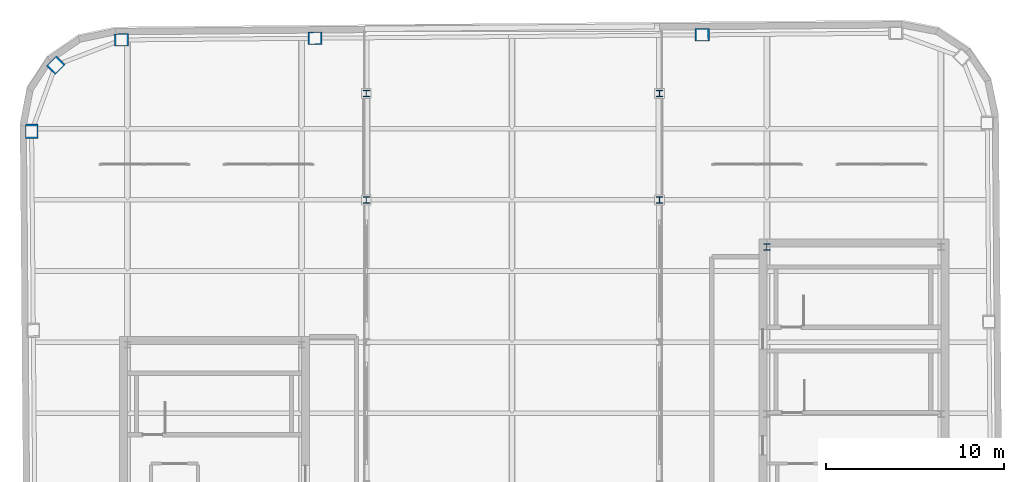
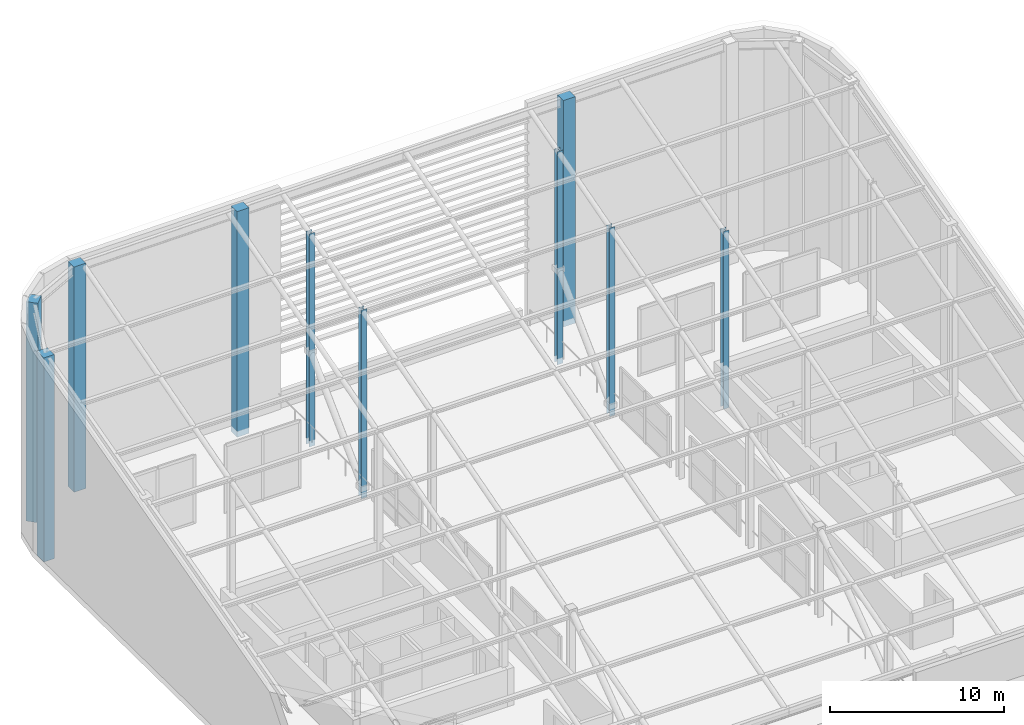
# One storey, part 3 of 17: 10 columns.
"""IFC4 building model written with IfcOpenShell, lengths in metres."""

from ifc_helpers import new_model, si_unit, direction, frame, origin, origin_2d, place, context, subcontext, project, spatial, rectangle, i_section, extrude, material, material_profile, profile_set, type_object, element, save


model = new_model("IFC4")

# Units and contexts
model_context = context("Model", 3, precision=1e-05, world=origin(), true_north=direction((0.0, 1.0)))
body_context = subcontext(model_context, "Body", "Model", "MODEL_VIEW")
ifc_project = project(units=[si_unit("LENGTHUNIT", "METRE"), si_unit("AREAUNIT", "SQUARE_METRE"), si_unit("VOLUMEUNIT", "CUBIC_METRE"), si_unit("PLANEANGLEUNIT", "RADIAN"), si_unit("MASSUNIT", "GRAM", prefix="KILO")], contexts=[model_context])

# Site, building, storey
site_placement = place(None, origin())
site = spatial("IfcSite", under=ifc_project, at=site_placement, CompositionType="ELEMENT")
building_placement = place(site_placement, origin())
building = spatial("IfcBuilding", under=site, at=building_placement, Name="Kolvaren Arena Tower", CompositionType="ELEMENT")
storey_placement = place(building_placement, frame((0.0, 0.0, 322.0)))
storey = spatial("IfcBuildingStorey", under=building, at=storey_placement, Name="Roof Crown", CompositionType="ELEMENT", Elevation=322.0)

# Columns
ifc_material_1 = material(Name="Precast concrete C50/60", Category="concrete")
ifc_material_profile_1 = material_profile(ifc_material_1, rectangle(XDim=0.800048828125, YDim=0.699951171875, at=origin_2d()), Name="RC-800x700")
ifc_profile_set_1 = profile_set([ifc_material_profile_1], Name="Precast concrete C50/60")
column_type_1 = type_object("IfcColumnType", Name="EXCOL-Z5", PredefinedType="COLUMN", material=ifc_profile_set_1)
column_1_placement = place(storey_placement, frame((46.908447265625, 51.294189453125, -0.419921875), z_axis=(0.0, 0.0, 1.0), x_axis=(0.999961923064, 0.008726535498, 0.0)))
element("IfcColumn", 1, at=column_1_placement, inside=storey, type_object=column_type_1, Name="Exoskeleton Perimeter Column 13 (Roof Crown)", PredefinedType="COLUMN", context=body_context, shape_type="SweptSolid", body=[
    extrude(rectangle(XDim=0.800048828125, YDim=0.699951171875, at=origin_2d()), origin(), (0.0, 0.0, 1.0), 15.919677734375),
])
column_2_placement = place(storey_placement, frame((25.109375, 51.10400390625, -0.419921875), z_axis=(0.0, 0.0, 1.0), x_axis=(0.999961923064, 0.008726535498, 0.0)))
element("IfcColumn", 2, at=column_2_placement, inside=storey, type_object=column_type_1, Name="Exoskeleton Perimeter Column 15 (Roof Crown)", PredefinedType="COLUMN", context=body_context, shape_type="SweptSolid", body=[
    extrude(rectangle(XDim=0.800048828125, YDim=0.699951171875, at=origin_2d()), origin(), (0.0, 0.0, 1.0), 15.864990234375),
])
column_3_placement = place(storey_placement, frame((14.209716796875, 51.0087890625, -0.419921875), z_axis=(0.0, 0.0, 1.0), x_axis=(0.999961923064, 0.008726535498, 0.0)))
element("IfcColumn", 3, at=column_3_placement, inside=storey, type_object=column_type_1, Name="Exoskeleton Perimeter Column 16 (Roof Crown)", PredefinedType="COLUMN", context=body_context, shape_type="SweptSolid", body=[
    extrude(rectangle(XDim=0.800048828125, YDim=0.699951171875, at=origin_2d()), origin(), (0.0, 0.0, 1.0), 15.83740234375),
])
column_4_placement = place(storey_placement, frame((10.51318359375, 49.58544921875, -0.419921875), z_axis=(0.0, 0.0, 1.0), x_axis=(0.7009092643, 0.713250449154, 0.0)))
element("IfcColumn", 4, at=column_4_placement, inside=storey, type_object=column_type_1, Name="Exoskeleton Perimeter Column 17 (Roof Crown)", PredefinedType="COLUMN", context=body_context, shape_type="SweptSolid", body=[
    extrude(rectangle(XDim=0.800048828125, YDim=0.699951171875, at=origin_2d()), origin(), (0.0, 0.0, 1.0), 15.427001953125),
])
column_5_placement = place(storey_placement, frame((9.154296875, 45.864501953125, -0.419921875), z_axis=(0.0, 0.0, 1.0), x_axis=(-0.008726535498, 0.999961923064, 0.0)))
element("IfcColumn", 5, at=column_5_placement, inside=storey, type_object=column_type_1, Name="Exoskeleton Perimeter Column 18 (Roof Crown)", PredefinedType="COLUMN", context=body_context, shape_type="SweptSolid", body=[
    extrude(rectangle(XDim=0.800048828125, YDim=0.699951171875, at=origin_2d()), origin(), (0.0, 0.0, 1.0), 14.354736328125),
])
ifc_material_2 = material(Name="Steel ASTM A913 Grade 65", Category="steel")
ifc_material_profile_2 = material_profile(ifc_material_2, i_section(OverallWidth=0.368896484375, OverallDepth=0.35595703125, WebThickness=0.01123046875, FlangeThickness=0.01806640625, FilletRadius=0.01806640625, at=origin_2d()), Name="W360x134")
ifc_profile_set_2 = profile_set([ifc_material_profile_2], Name="Steel ASTM A913 Grade 65")
column_type_2 = type_object("IfcColumnType", Name="SCOL-CR", PredefinedType="COLUMN", material=ifc_profile_set_2)
column_6_placement = place(storey_placement, frame((50.550048828125, 39.35009765625, -0.419921875), z_axis=(0.0, 0.0, 1.0), x_axis=(1.0, 0.0, 0.0)))
element("IfcColumn", 6, at=column_6_placement, inside=storey, type_object=column_type_2, Name="Core Boundary Column EC-NW (Roof Crown)", PredefinedType="COLUMN", context=body_context, shape_type="SweptSolid", body=[
    extrude(i_section(OverallWidth=0.368896484375, OverallDepth=0.35595703125, WebThickness=0.01123046875, FlangeThickness=0.01806640625, FilletRadius=0.01806640625, at=origin_2d()), origin(), (0.0, 0.0, 1.0), 12.48681640625),
])
column_7_placement = place(storey_placement, frame((28.0, 42.0, -0.419921875), z_axis=(0.0, 0.0, 1.0), x_axis=(1.0, 0.0, 0.0)))
element("IfcColumn", 7, at=column_7_placement, inside=storey, type_object=column_type_2, Name="Wind-Portal Throat Column (West 5)", PredefinedType="COLUMN", context=body_context, shape_type="SweptSolid", body=[
    extrude(i_section(OverallWidth=0.368896484375, OverallDepth=0.35595703125, WebThickness=0.01123046875, FlangeThickness=0.01806640625, FilletRadius=0.01806640625, at=origin_2d()), origin(), (0.0, 0.0, 1.0), 13.24072265625),
])
column_8_placement = place(storey_placement, frame((28.0, 48.0, -0.419921875), z_axis=(0.0, 0.0, 1.0), x_axis=(1.0, 0.0, 0.0)))
element("IfcColumn", 8, at=column_8_placement, inside=storey, type_object=column_type_2, Name="Wind-Portal Throat Column (West 6)", PredefinedType="COLUMN", context=body_context, shape_type="SweptSolid", body=[
    extrude(i_section(OverallWidth=0.368896484375, OverallDepth=0.35595703125, WebThickness=0.01123046875, FlangeThickness=0.01806640625, FilletRadius=0.01806640625, at=origin_2d()), origin(), (0.0, 0.0, 1.0), 14.97021484375),
])
column_9_placement = place(storey_placement, frame((44.5, 42.0, -0.419921875), z_axis=(0.0, 0.0, 1.0), x_axis=(1.0, 0.0, 0.0)))
element("IfcColumn", 9, at=column_9_placement, inside=storey, type_object=column_type_2, Name="Wind-Portal Throat Column (East 5)", PredefinedType="COLUMN", context=body_context, shape_type="SweptSolid", body=[
    extrude(i_section(OverallWidth=0.368896484375, OverallDepth=0.35595703125, WebThickness=0.01123046875, FlangeThickness=0.01806640625, FilletRadius=0.01806640625, at=origin_2d()), origin(), (0.0, 0.0, 1.0), 13.24072265625),
])
column_10_placement = place(storey_placement, frame((44.5, 48.0, -0.419921875), z_axis=(0.0, 0.0, 1.0), x_axis=(1.0, 0.0, 0.0)))
element("IfcColumn", 10, at=column_10_placement, inside=storey, type_object=column_type_2, Name="Wind-Portal Throat Column (East 6)", PredefinedType="COLUMN", context=body_context, shape_type="SweptSolid", body=[
    extrude(i_section(OverallWidth=0.368896484375, OverallDepth=0.35595703125, WebThickness=0.01123046875, FlangeThickness=0.01806640625, FilletRadius=0.01806640625, at=origin_2d()), origin(), (0.0, 0.0, 1.0), 14.97021484375),
])

save(model, "model.ifc")
